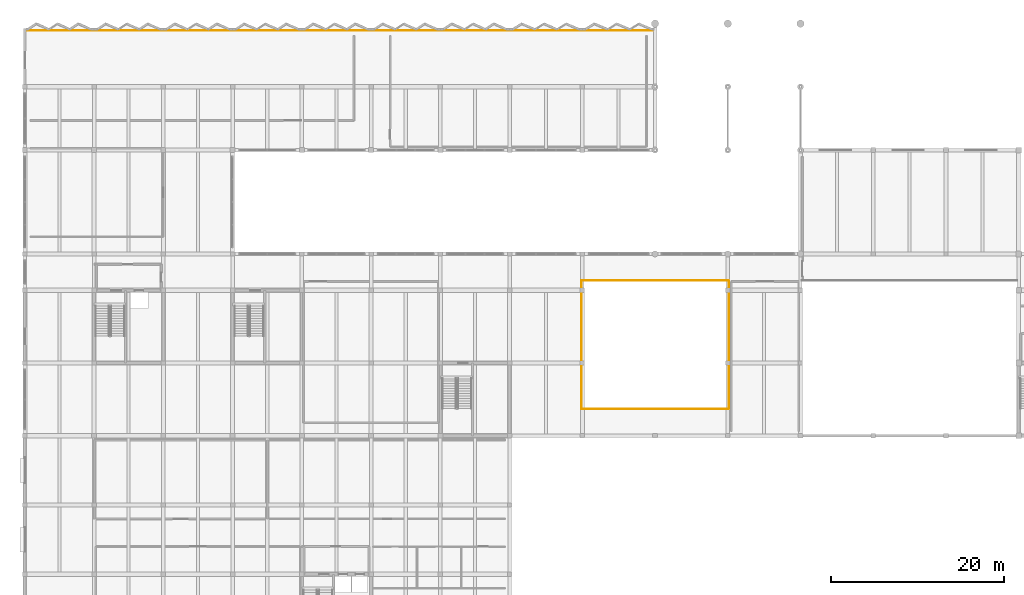
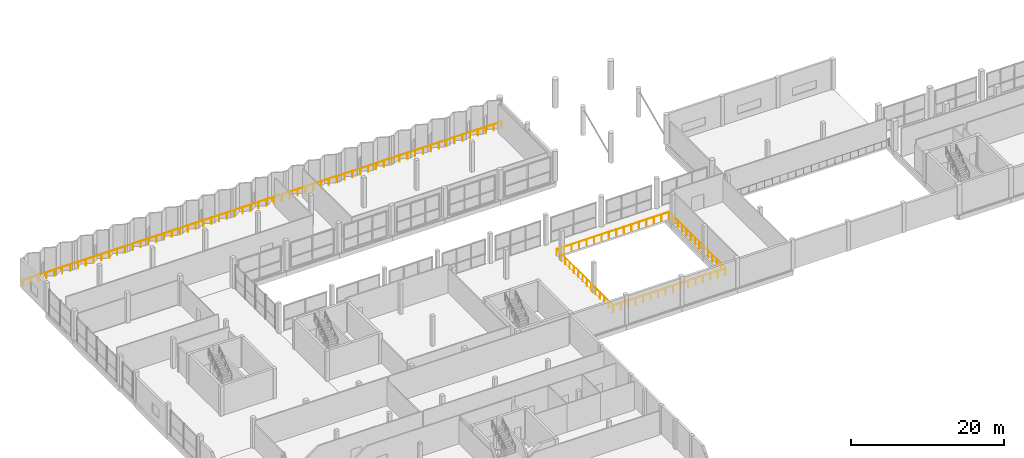
# One storey, part 45 of 47: 5 railings.
"""IFC4 building model written with IfcOpenShell, lengths in metres."""

from ifc_helpers import new_model, si_unit, direction, frame, origin, origin_2d, place, context, subcontext, project, spatial, circle, extrude, material, type_object, element, save


model = new_model("IFC4")

# Units and contexts
model_context = context("Model", 3, precision=1e-05, world=origin(), true_north=direction((0.0, 1.0)))
body_context = subcontext(model_context, "Body", "Model", "MODEL_VIEW")
ifc_project = project(units=[si_unit("LENGTHUNIT", "METRE"), si_unit("AREAUNIT", "SQUARE_METRE"), si_unit("VOLUMEUNIT", "CUBIC_METRE"), si_unit("PLANEANGLEUNIT", "RADIAN"), si_unit("MASSUNIT", "GRAM", prefix="KILO")], contexts=[model_context])

# Site, building, storey
site_placement = place(None, origin())
site = spatial("IfcSite", under=ifc_project, at=site_placement, CompositionType="ELEMENT")
building_placement = place(site_placement, origin())
building = spatial("IfcBuilding", under=site, at=building_placement, Name="Vharandega Faculty of Natural Sciences", CompositionType="ELEMENT")
storey_placement = place(building_placement, frame((0.0, 0.0, 5.39990234375)))
storey = spatial("IfcBuildingStorey", under=building, at=storey_placement, Name="L01", CompositionType="ELEMENT", Elevation=5.39990234375)

# Railings
ifc_material_1 = material(Name="Timber-capped steel and glass balustrade", Category="steel")
railing_type_1 = type_object("IfcRailingType", Name="Atrium Void Balustrade 1100", PredefinedType="BALUSTRADE", material=ifc_material_1)
railing_1_placement = place(storey_placement, frame((64.304931640625, 67.080078125, 0.0)))
element("IfcRailing", 1, at=railing_1_placement, inside=storey, type_object=railing_type_1, Name="Atrium Void Balustrade L01 #1", PredefinedType="BALUSTRADE", context=body_context, shape_type="SweptSolid", body=[
    extrude(circle(Radius=0.02392578125, at=origin_2d()), frame((0.0, 0.0, 1.076171875), z_axis=(1.0, 0.0, 0.0), x_axis=(0.0, 1.0, 0.0)), (0.0, 0.0, 1.0), 16.989990234375),
    extrude(circle(Radius=0.02099609375, at=origin_2d()), origin(), (0.0, 0.0, 1.0), 1.052001953125),
    extrude(circle(Radius=0.02099609375, at=origin_2d()), frame((1.132568359375, 0.0, 0.0)), (0.0, 0.0, 1.0), 1.052001953125),
    extrude(circle(Radius=0.02099609375, at=origin_2d()), frame((2.265380859375, 0.0, 0.0)), (0.0, 0.0, 1.0), 1.052001953125),
    extrude(circle(Radius=0.02099609375, at=origin_2d()), frame((3.39794921875, 0.0, 0.0)), (0.0, 0.0, 1.0), 1.052001953125),
    extrude(circle(Radius=0.02099609375, at=origin_2d()), frame((4.53076171875, 0.0, 0.0)), (0.0, 0.0, 1.0), 1.052001953125),
    extrude(circle(Radius=0.02099609375, at=origin_2d()), frame((5.663330078125, 0.0, 0.0)), (0.0, 0.0, 1.0), 1.052001953125),
    extrude(circle(Radius=0.02099609375, at=origin_2d()), frame((6.7958984375, 0.0, 0.0)), (0.0, 0.0, 1.0), 1.052001953125),
    extrude(circle(Radius=0.02099609375, at=origin_2d()), frame((7.9287109375, 0.0, 0.0)), (0.0, 0.0, 1.0), 1.052001953125),
    extrude(circle(Radius=0.02099609375, at=origin_2d()), frame((9.061279296875, 0.0, 0.0)), (0.0, 0.0, 1.0), 1.052001953125),
    extrude(circle(Radius=0.02099609375, at=origin_2d()), frame((10.194091796875, 0.0, 0.0)), (0.0, 0.0, 1.0), 1.052001953125),
    extrude(circle(Radius=0.02099609375, at=origin_2d()), frame((11.32666015625, 0.0, 0.0)), (0.0, 0.0, 1.0), 1.052001953125),
    extrude(circle(Radius=0.02099609375, at=origin_2d()), frame((12.459228515625, 0.0, 0.0)), (0.0, 0.0, 1.0), 1.052001953125),
    extrude(circle(Radius=0.02099609375, at=origin_2d()), frame((13.592041015625, 0.0, 0.0)), (0.0, 0.0, 1.0), 1.052001953125),
    extrude(circle(Radius=0.02099609375, at=origin_2d()), frame((14.724609375, 0.0, 0.0)), (0.0, 0.0, 1.0), 1.052001953125),
    extrude(circle(Radius=0.02099609375, at=origin_2d()), frame((15.857421875, 0.0, 0.0)), (0.0, 0.0, 1.0), 1.052001953125),
    extrude(circle(Radius=0.02099609375, at=origin_2d()), frame((16.989990234375, 0.0, 0.0)), (0.0, 0.0, 1.0), 1.052001953125),
])
railing_2_placement = place(storey_placement, frame((81.320068359375, 67.10498046875, 0.0)))
element("IfcRailing", 2, at=railing_2_placement, inside=storey, type_object=railing_type_1, Name="Atrium Void Balustrade L01 #2", PredefinedType="BALUSTRADE", context=body_context, shape_type="SweptSolid", body=[
    extrude(circle(Radius=0.02392578125, at=origin_2d()), frame((0.0, 0.0, 1.076171875), z_axis=(0.0, 1.0, 0.0), x_axis=(-1.0, 0.0, 0.0)), (0.0, 0.0, 1.0), 14.7900390625),
    extrude(circle(Radius=0.02099609375, at=origin_2d()), origin(), (0.0, 0.0, 1.0), 1.052001953125),
    extrude(circle(Radius=0.02099609375, at=origin_2d()), frame((0.0, 1.1376953125, 0.0)), (0.0, 0.0, 1.0), 1.052001953125),
    extrude(circle(Radius=0.02099609375, at=origin_2d()), frame((0.0, 2.275390625, 0.0)), (0.0, 0.0, 1.0), 1.052001953125),
    extrude(circle(Radius=0.02099609375, at=origin_2d()), frame((0.0, 3.4130859375, 0.0)), (0.0, 0.0, 1.0), 1.052001953125),
    extrude(circle(Radius=0.02099609375, at=origin_2d()), frame((0.0, 4.55078125, 0.0)), (0.0, 0.0, 1.0), 1.052001953125),
    extrude(circle(Radius=0.02099609375, at=origin_2d()), frame((0.0, 5.6884765625, 0.0)), (0.0, 0.0, 1.0), 1.052001953125),
    extrude(circle(Radius=0.02099609375, at=origin_2d()), frame((0.0, 6.826171875, 0.0)), (0.0, 0.0, 1.0), 1.052001953125),
    extrude(circle(Radius=0.02099609375, at=origin_2d()), frame((0.0, 7.9638671875, 0.0)), (0.0, 0.0, 1.0), 1.052001953125),
    extrude(circle(Radius=0.02099609375, at=origin_2d()), frame((0.0, 9.1015625, 0.0)), (0.0, 0.0, 1.0), 1.052001953125),
    extrude(circle(Radius=0.02099609375, at=origin_2d()), frame((0.0, 10.2392578125, 0.0)), (0.0, 0.0, 1.0), 1.052001953125),
    extrude(circle(Radius=0.02099609375, at=origin_2d()), frame((0.0, 11.376953125, 0.0)), (0.0, 0.0, 1.0), 1.052001953125),
    extrude(circle(Radius=0.02099609375, at=origin_2d()), frame((0.0, 12.5146484375, 0.0)), (0.0, 0.0, 1.0), 1.052001953125),
    extrude(circle(Radius=0.02099609375, at=origin_2d()), frame((0.0, 13.65234375, 0.0)), (0.0, 0.0, 1.0), 1.052001953125),
    extrude(circle(Radius=0.02099609375, at=origin_2d()), frame((0.0, 14.7900390625, 0.0)), (0.0, 0.0, 1.0), 1.052001953125),
])
railing_3_placement = place(storey_placement, frame((81.294921875, 81.919921875, 0.0)))
element("IfcRailing", 3, at=railing_3_placement, inside=storey, type_object=railing_type_1, Name="Atrium Void Balustrade L01 #3", PredefinedType="BALUSTRADE", context=body_context, shape_type="SweptSolid", body=[
    extrude(circle(Radius=0.02392578125, at=origin_2d()), frame((0.0, 0.0, 1.076171875), z_axis=(-1.0, 0.0, 0.0), x_axis=(0.0, -1.0, 0.0)), (0.0, 0.0, 1.0), 16.989990234375),
    extrude(circle(Radius=0.02099609375, at=origin_2d()), origin(), (0.0, 0.0, 1.0), 1.052001953125),
    extrude(circle(Radius=0.02099609375, at=origin_2d()), frame((-1.132568359375, 0.0, 0.0)), (0.0, 0.0, 1.0), 1.052001953125),
    extrude(circle(Radius=0.02099609375, at=origin_2d()), frame((-2.265380859375, 0.0, 0.0)), (0.0, 0.0, 1.0), 1.052001953125),
    extrude(circle(Radius=0.02099609375, at=origin_2d()), frame((-3.39794921875, 0.0, 0.0)), (0.0, 0.0, 1.0), 1.052001953125),
    extrude(circle(Radius=0.02099609375, at=origin_2d()), frame((-4.53076171875, 0.0, 0.0)), (0.0, 0.0, 1.0), 1.052001953125),
    extrude(circle(Radius=0.02099609375, at=origin_2d()), frame((-5.663330078125, 0.0, 0.0)), (0.0, 0.0, 1.0), 1.052001953125),
    extrude(circle(Radius=0.02099609375, at=origin_2d()), frame((-6.7958984375, 0.0, 0.0)), (0.0, 0.0, 1.0), 1.052001953125),
    extrude(circle(Radius=0.02099609375, at=origin_2d()), frame((-7.9287109375, 0.0, 0.0)), (0.0, 0.0, 1.0), 1.052001953125),
    extrude(circle(Radius=0.02099609375, at=origin_2d()), frame((-9.061279296875, 0.0, 0.0)), (0.0, 0.0, 1.0), 1.052001953125),
    extrude(circle(Radius=0.02099609375, at=origin_2d()), frame((-10.194091796875, 0.0, 0.0)), (0.0, 0.0, 1.0), 1.052001953125),
    extrude(circle(Radius=0.02099609375, at=origin_2d()), frame((-11.32666015625, 0.0, 0.0)), (0.0, 0.0, 1.0), 1.052001953125),
    extrude(circle(Radius=0.02099609375, at=origin_2d()), frame((-12.459228515625, 0.0, 0.0)), (0.0, 0.0, 1.0), 1.052001953125),
    extrude(circle(Radius=0.02099609375, at=origin_2d()), frame((-13.592041015625, 0.0, 0.0)), (0.0, 0.0, 1.0), 1.052001953125),
    extrude(circle(Radius=0.02099609375, at=origin_2d()), frame((-14.724609375, 0.0, 0.0)), (0.0, 0.0, 1.0), 1.052001953125),
    extrude(circle(Radius=0.02099609375, at=origin_2d()), frame((-15.857421875, 0.0, 0.0)), (0.0, 0.0, 1.0), 1.052001953125),
    extrude(circle(Radius=0.02099609375, at=origin_2d()), frame((-16.989990234375, 0.0, 0.0)), (0.0, 0.0, 1.0), 1.052001953125),
])
railing_4_placement = place(storey_placement, frame((64.280029296875, 81.89501953125, 0.0)))
element("IfcRailing", 4, at=railing_4_placement, inside=storey, type_object=railing_type_1, Name="Atrium Void Balustrade L01 #4", PredefinedType="BALUSTRADE", context=body_context, shape_type="SweptSolid", body=[
    extrude(circle(Radius=0.02392578125, at=origin_2d()), frame((0.0, 0.0, 1.076171875), z_axis=(0.0, -1.0, 0.0), x_axis=(1.0, 0.0, 0.0)), (0.0, 0.0, 1.0), 14.7900390625),
    extrude(circle(Radius=0.02099609375, at=origin_2d()), origin(), (0.0, 0.0, 1.0), 1.052001953125),
    extrude(circle(Radius=0.02099609375, at=origin_2d()), frame((0.0, -1.1376953125, 0.0)), (0.0, 0.0, 1.0), 1.052001953125),
    extrude(circle(Radius=0.02099609375, at=origin_2d()), frame((0.0, -2.275390625, 0.0)), (0.0, 0.0, 1.0), 1.052001953125),
    extrude(circle(Radius=0.02099609375, at=origin_2d()), frame((0.0, -3.4130859375, 0.0)), (0.0, 0.0, 1.0), 1.052001953125),
    extrude(circle(Radius=0.02099609375, at=origin_2d()), frame((0.0, -4.55078125, 0.0)), (0.0, 0.0, 1.0), 1.052001953125),
    extrude(circle(Radius=0.02099609375, at=origin_2d()), frame((0.0, -5.6884765625, 0.0)), (0.0, 0.0, 1.0), 1.052001953125),
    extrude(circle(Radius=0.02099609375, at=origin_2d()), frame((0.0, -6.826171875, 0.0)), (0.0, 0.0, 1.0), 1.052001953125),
    extrude(circle(Radius=0.02099609375, at=origin_2d()), frame((0.0, -7.9638671875, 0.0)), (0.0, 0.0, 1.0), 1.052001953125),
    extrude(circle(Radius=0.02099609375, at=origin_2d()), frame((0.0, -9.1015625, 0.0)), (0.0, 0.0, 1.0), 1.052001953125),
    extrude(circle(Radius=0.02099609375, at=origin_2d()), frame((0.0, -10.2392578125, 0.0)), (0.0, 0.0, 1.0), 1.052001953125),
    extrude(circle(Radius=0.02099609375, at=origin_2d()), frame((0.0, -11.376953125, 0.0)), (0.0, 0.0, 1.0), 1.052001953125),
    extrude(circle(Radius=0.02099609375, at=origin_2d()), frame((0.0, -12.5146484375, 0.0)), (0.0, 0.0, 1.0), 1.052001953125),
    extrude(circle(Radius=0.02099609375, at=origin_2d()), frame((0.0, -13.65234375, 0.0)), (0.0, 0.0, 1.0), 1.052001953125),
    extrude(circle(Radius=0.02099609375, at=origin_2d()), frame((0.0, -14.7900390625, 0.0)), (0.0, 0.0, 1.0), 1.052001953125),
])
ifc_material_2 = material(Name="Galvanised painted steel balustrade", Category="steel")
railing_type_2 = type_object("IfcRailingType", Name="Terrace Steel Guardrail 1100", PredefinedType="GUARDRAIL", material=ifc_material_2)
railing_5_placement = place(storey_placement, frame((0.175048828125, 110.800048828125, 0.0)))
element("IfcRailing", 5, at=railing_5_placement, inside=storey, type_object=railing_type_2, Name="Commons North Sill Guard L01 #1", PredefinedType="GUARDRAIL", context=body_context, shape_type="SweptSolid", body=[
    extrude(circle(Radius=0.02392578125, at=origin_2d()), frame((0.0, 0.0, 1.076171875), z_axis=(1.0, 0.0, 0.0), x_axis=(0.0, 1.0, 0.0)), (0.0, 0.0, 1.0), 72.449951171875),
    extrude(circle(Radius=0.02099609375, at=origin_2d()), origin(), (0.0, 0.0, 1.0), 1.052001953125),
    extrude(circle(Radius=0.02099609375, at=origin_2d()), frame((1.187744140625, 0.0, 0.0)), (0.0, 0.0, 1.0), 1.052001953125),
    extrude(circle(Radius=0.02099609375, at=origin_2d()), frame((2.37548828125, 0.0, 0.0)), (0.0, 0.0, 1.0), 1.052001953125),
    extrude(circle(Radius=0.02099609375, at=origin_2d()), frame((3.563232421875, 0.0, 0.0)), (0.0, 0.0, 1.0), 1.052001953125),
    extrude(circle(Radius=0.02099609375, at=origin_2d()), frame((4.750732421875, 0.0, 0.0)), (0.0, 0.0, 1.0), 1.052001953125),
    extrude(circle(Radius=0.02099609375, at=origin_2d()), frame((5.9384765625, 0.0, 0.0)), (0.0, 0.0, 1.0), 1.052001953125),
    extrude(circle(Radius=0.02099609375, at=origin_2d()), frame((7.126220703125, 0.0, 0.0)), (0.0, 0.0, 1.0), 1.052001953125),
    extrude(circle(Radius=0.02099609375, at=origin_2d()), frame((8.31396484375, 0.0, 0.0)), (0.0, 0.0, 1.0), 1.052001953125),
    extrude(circle(Radius=0.02099609375, at=origin_2d()), frame((9.501708984375, 0.0, 0.0)), (0.0, 0.0, 1.0), 1.052001953125),
    extrude(circle(Radius=0.02099609375, at=origin_2d()), frame((10.689453125, 0.0, 0.0)), (0.0, 0.0, 1.0), 1.052001953125),
    extrude(circle(Radius=0.02099609375, at=origin_2d()), frame((11.876953125, 0.0, 0.0)), (0.0, 0.0, 1.0), 1.052001953125),
    extrude(circle(Radius=0.02099609375, at=origin_2d()), frame((13.064697265625, 0.0, 0.0)), (0.0, 0.0, 1.0), 1.052001953125),
    extrude(circle(Radius=0.02099609375, at=origin_2d()), frame((14.25244140625, 0.0, 0.0)), (0.0, 0.0, 1.0), 1.052001953125),
    extrude(circle(Radius=0.02099609375, at=origin_2d()), frame((15.440185546875, 0.0, 0.0)), (0.0, 0.0, 1.0), 1.052001953125),
    extrude(circle(Radius=0.02099609375, at=origin_2d()), frame((16.6279296875, 0.0, 0.0)), (0.0, 0.0, 1.0), 1.052001953125),
    extrude(circle(Radius=0.02099609375, at=origin_2d()), frame((17.815673828125, 0.0, 0.0)), (0.0, 0.0, 1.0), 1.052001953125),
    extrude(circle(Radius=0.02099609375, at=origin_2d()), frame((19.003173828125, 0.0, 0.0)), (0.0, 0.0, 1.0), 1.052001953125),
    extrude(circle(Radius=0.02099609375, at=origin_2d()), frame((20.19091796875, 0.0, 0.0)), (0.0, 0.0, 1.0), 1.052001953125),
    extrude(circle(Radius=0.02099609375, at=origin_2d()), frame((21.378662109375, 0.0, 0.0)), (0.0, 0.0, 1.0), 1.052001953125),
    extrude(circle(Radius=0.02099609375, at=origin_2d()), frame((22.56640625, 0.0, 0.0)), (0.0, 0.0, 1.0), 1.052001953125),
    extrude(circle(Radius=0.02099609375, at=origin_2d()), frame((23.754150390625, 0.0, 0.0)), (0.0, 0.0, 1.0), 1.052001953125),
    extrude(circle(Radius=0.02099609375, at=origin_2d()), frame((24.94189453125, 0.0, 0.0)), (0.0, 0.0, 1.0), 1.052001953125),
    extrude(circle(Radius=0.02099609375, at=origin_2d()), frame((26.12939453125, 0.0, 0.0)), (0.0, 0.0, 1.0), 1.052001953125),
    extrude(circle(Radius=0.02099609375, at=origin_2d()), frame((27.317138671875, 0.0, 0.0)), (0.0, 0.0, 1.0), 1.052001953125),
    extrude(circle(Radius=0.02099609375, at=origin_2d()), frame((28.5048828125, 0.0, 0.0)), (0.0, 0.0, 1.0), 1.052001953125),
    extrude(circle(Radius=0.02099609375, at=origin_2d()), frame((29.692626953125, 0.0, 0.0)), (0.0, 0.0, 1.0), 1.052001953125),
    extrude(circle(Radius=0.02099609375, at=origin_2d()), frame((30.88037109375, 0.0, 0.0)), (0.0, 0.0, 1.0), 1.052001953125),
    extrude(circle(Radius=0.02099609375, at=origin_2d()), frame((32.068115234375, 0.0, 0.0)), (0.0, 0.0, 1.0), 1.052001953125),
    extrude(circle(Radius=0.02099609375, at=origin_2d()), frame((33.255615234375, 0.0, 0.0)), (0.0, 0.0, 1.0), 1.052001953125),
    extrude(circle(Radius=0.02099609375, at=origin_2d()), frame((34.443359375, 0.0, 0.0)), (0.0, 0.0, 1.0), 1.052001953125),
    extrude(circle(Radius=0.02099609375, at=origin_2d()), frame((35.631103515625, 0.0, 0.0)), (0.0, 0.0, 1.0), 1.052001953125),
    extrude(circle(Radius=0.02099609375, at=origin_2d()), frame((36.81884765625, 0.0, 0.0)), (0.0, 0.0, 1.0), 1.052001953125),
    extrude(circle(Radius=0.02099609375, at=origin_2d()), frame((38.006591796875, 0.0, 0.0)), (0.0, 0.0, 1.0), 1.052001953125),
    extrude(circle(Radius=0.02099609375, at=origin_2d()), frame((39.1943359375, 0.0, 0.0)), (0.0, 0.0, 1.0), 1.052001953125),
    extrude(circle(Radius=0.02099609375, at=origin_2d()), frame((40.3818359375, 0.0, 0.0)), (0.0, 0.0, 1.0), 1.052001953125),
    extrude(circle(Radius=0.02099609375, at=origin_2d()), frame((41.569580078125, 0.0, 0.0)), (0.0, 0.0, 1.0), 1.052001953125),
    extrude(circle(Radius=0.02099609375, at=origin_2d()), frame((42.75732421875, 0.0, 0.0)), (0.0, 0.0, 1.0), 1.052001953125),
    extrude(circle(Radius=0.02099609375, at=origin_2d()), frame((43.945068359375, 0.0, 0.0)), (0.0, 0.0, 1.0), 1.052001953125),
    extrude(circle(Radius=0.02099609375, at=origin_2d()), frame((45.1328125, 0.0, 0.0)), (0.0, 0.0, 1.0), 1.052001953125),
    extrude(circle(Radius=0.02099609375, at=origin_2d()), frame((46.320556640625, 0.0, 0.0)), (0.0, 0.0, 1.0), 1.052001953125),
    extrude(circle(Radius=0.02099609375, at=origin_2d()), frame((47.508056640625, 0.0, 0.0)), (0.0, 0.0, 1.0), 1.052001953125),
    extrude(circle(Radius=0.02099609375, at=origin_2d()), frame((48.69580078125, 0.0, 0.0)), (0.0, 0.0, 1.0), 1.052001953125),
    extrude(circle(Radius=0.02099609375, at=origin_2d()), frame((49.883544921875, 0.0, 0.0)), (0.0, 0.0, 1.0), 1.052001953125),
    extrude(circle(Radius=0.02099609375, at=origin_2d()), frame((51.0712890625, 0.0, 0.0)), (0.0, 0.0, 1.0), 1.052001953125),
    extrude(circle(Radius=0.02099609375, at=origin_2d()), frame((52.259033203125, 0.0, 0.0)), (0.0, 0.0, 1.0), 1.052001953125),
    extrude(circle(Radius=0.02099609375, at=origin_2d()), frame((53.44677734375, 0.0, 0.0)), (0.0, 0.0, 1.0), 1.052001953125),
    extrude(circle(Radius=0.02099609375, at=origin_2d()), frame((54.63427734375, 0.0, 0.0)), (0.0, 0.0, 1.0), 1.052001953125),
    extrude(circle(Radius=0.02099609375, at=origin_2d()), frame((55.822021484375, 0.0, 0.0)), (0.0, 0.0, 1.0), 1.052001953125),
    extrude(circle(Radius=0.02099609375, at=origin_2d()), frame((57.009765625, 0.0, 0.0)), (0.0, 0.0, 1.0), 1.052001953125),
    extrude(circle(Radius=0.02099609375, at=origin_2d()), frame((58.197509765625, 0.0, 0.0)), (0.0, 0.0, 1.0), 1.052001953125),
    extrude(circle(Radius=0.02099609375, at=origin_2d()), frame((59.38525390625, 0.0, 0.0)), (0.0, 0.0, 1.0), 1.052001953125),
    extrude(circle(Radius=0.02099609375, at=origin_2d()), frame((60.572998046875, 0.0, 0.0)), (0.0, 0.0, 1.0), 1.052001953125),
    extrude(circle(Radius=0.02099609375, at=origin_2d()), frame((61.760498046875, 0.0, 0.0)), (0.0, 0.0, 1.0), 1.052001953125),
    extrude(circle(Radius=0.02099609375, at=origin_2d()), frame((62.9482421875, 0.0, 0.0)), (0.0, 0.0, 1.0), 1.052001953125),
    extrude(circle(Radius=0.02099609375, at=origin_2d()), frame((64.135986328125, 0.0, 0.0)), (0.0, 0.0, 1.0), 1.052001953125),
    extrude(circle(Radius=0.02099609375, at=origin_2d()), frame((65.32373046875, 0.0, 0.0)), (0.0, 0.0, 1.0), 1.052001953125),
    extrude(circle(Radius=0.02099609375, at=origin_2d()), frame((66.511474609375, 0.0, 0.0)), (0.0, 0.0, 1.0), 1.052001953125),
    extrude(circle(Radius=0.02099609375, at=origin_2d()), frame((67.69921875, 0.0, 0.0)), (0.0, 0.0, 1.0), 1.052001953125),
    extrude(circle(Radius=0.02099609375, at=origin_2d()), frame((68.88671875, 0.0, 0.0)), (0.0, 0.0, 1.0), 1.052001953125),
    extrude(circle(Radius=0.02099609375, at=origin_2d()), frame((70.074462890625, 0.0, 0.0)), (0.0, 0.0, 1.0), 1.052001953125),
    extrude(circle(Radius=0.02099609375, at=origin_2d()), frame((71.26220703125, 0.0, 0.0)), (0.0, 0.0, 1.0), 1.052001953125),
    extrude(circle(Radius=0.02099609375, at=origin_2d()), frame((72.449951171875, 0.0, 0.0)), (0.0, 0.0, 1.0), 1.052001953125),
])

save(model, "model.ifc")
